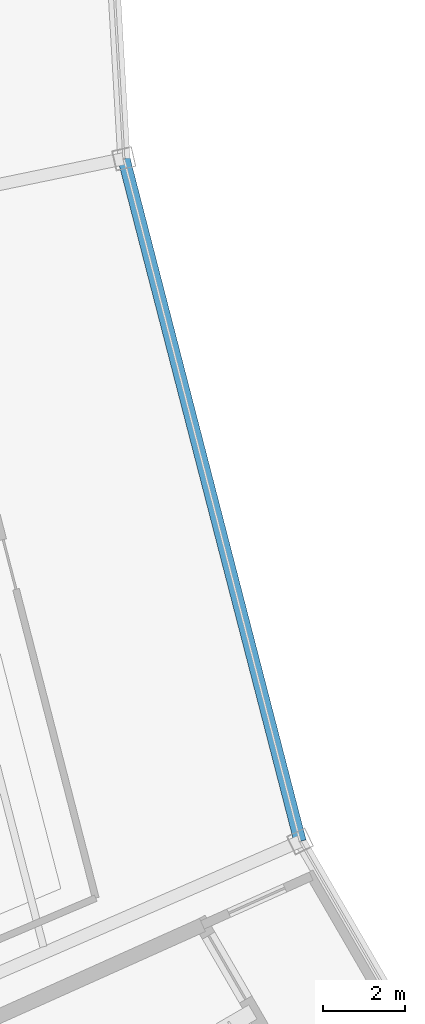
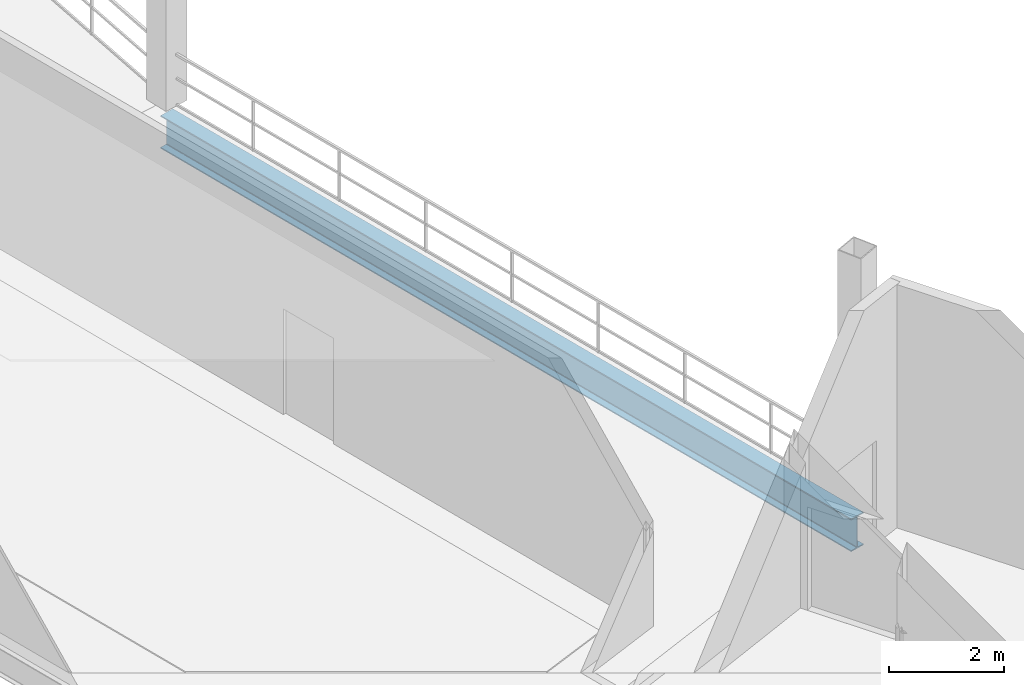
# One storey, part 21 of 103: 1 beam.
"""IFC4 building model written with IfcOpenShell, lengths in metres."""

from ifc_helpers import new_model, si_unit, direction, frame, origin, origin_2d, place, context, subcontext, project, spatial, i_section, extrude, material, material_profile, profile_set, type_object, element, save


model = new_model("IFC4")

# Units and contexts
model_context = context("Model", 3, precision=1e-05, world=origin(), true_north=direction((0.0, 1.0)))
body_context = subcontext(model_context, "Body", "Model", "MODEL_VIEW")
ifc_project = project(units=[si_unit("LENGTHUNIT", "METRE"), si_unit("AREAUNIT", "SQUARE_METRE"), si_unit("VOLUMEUNIT", "CUBIC_METRE"), si_unit("PLANEANGLEUNIT", "RADIAN"), si_unit("MASSUNIT", "GRAM", prefix="KILO")], contexts=[model_context])

# Site, building, storey
site_placement = place(None, origin())
site = spatial("IfcSite", under=ifc_project, at=site_placement, CompositionType="ELEMENT")
building_placement = place(site_placement, origin())
building = spatial("IfcBuilding", under=site, at=building_placement, Name="Kazemori Nagisa Stadium", CompositionType="ELEMENT")
storey_placement = place(building_placement, frame((0.0, 0.0, 25.840087890625)))
storey = spatial("IfcBuildingStorey", under=building, at=storey_placement, Name="L05", CompositionType="ELEMENT", Elevation=25.840087890625)

# Beam
ifc_material = material(Name="Steel SN490B", Category="steel")
ifc_material_profile = material_profile(ifc_material, i_section(OverallWidth=0.300048828125, OverallDepth=0.699951171875, WebThickness=0.012939453125, FlangeThickness=0.02392578125, FilletRadius=0.01806640625, at=origin_2d()), Name="H-700x300x13x24")
ifc_profile_set = profile_set([ifc_material_profile], Name="Steel SN490B")
beam_type = type_object("IfcBeamType", Name="Beam_BG-H700", PredefinedType="BEAM", material=ifc_profile_set)
beam_placement = place(storey_placement, frame((42.262451171875, 85.31787109375, -0.610107421875), z_axis=(0.249974673676, -0.968252375427, 0.0), x_axis=(0.968252375427, 0.249974673676, 0.0)))
element("IfcBeam", 1, at=beam_placement, inside=storey, type_object=beam_type, Name="Ring girder BG-H700 L05 R2-16", PredefinedType="BEAM", context=body_context, shape_type="SweptSolid", body=[
    extrude(i_section(OverallWidth=0.300048828125, OverallDepth=0.699951171875, WebThickness=0.012939453125, FlangeThickness=0.02392578125, FilletRadius=0.01806640625, at=origin_2d()), origin(), (0.0, 0.0, 1.0), 17.188232421875),
])

save(model, "model.ifc")
